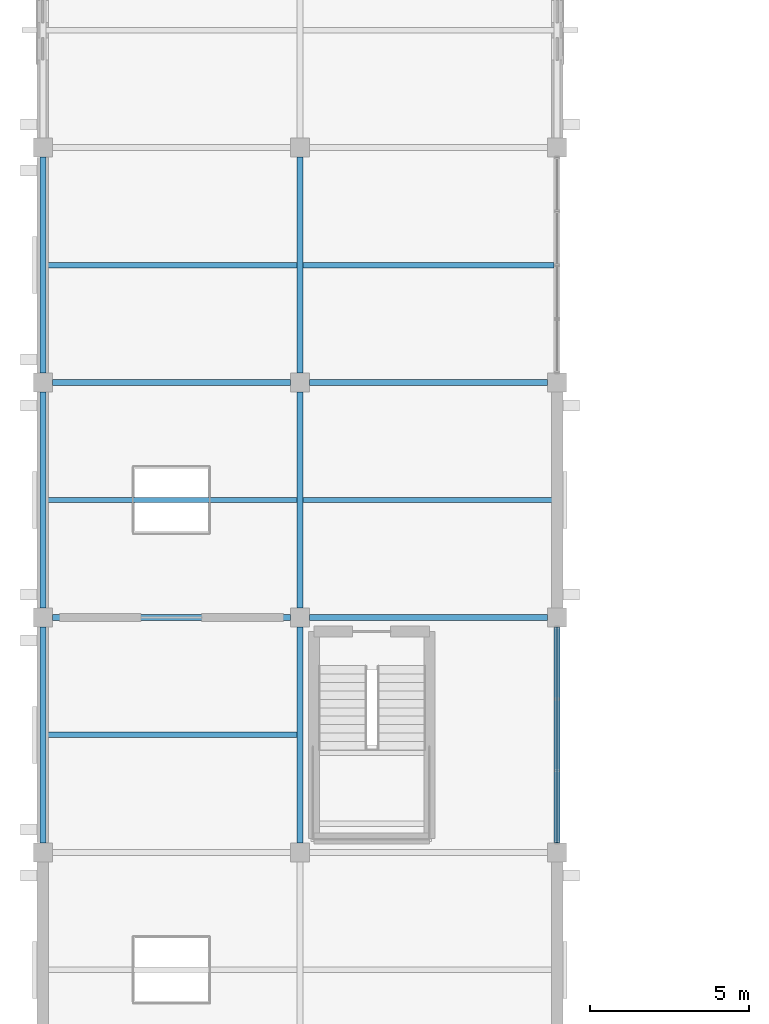
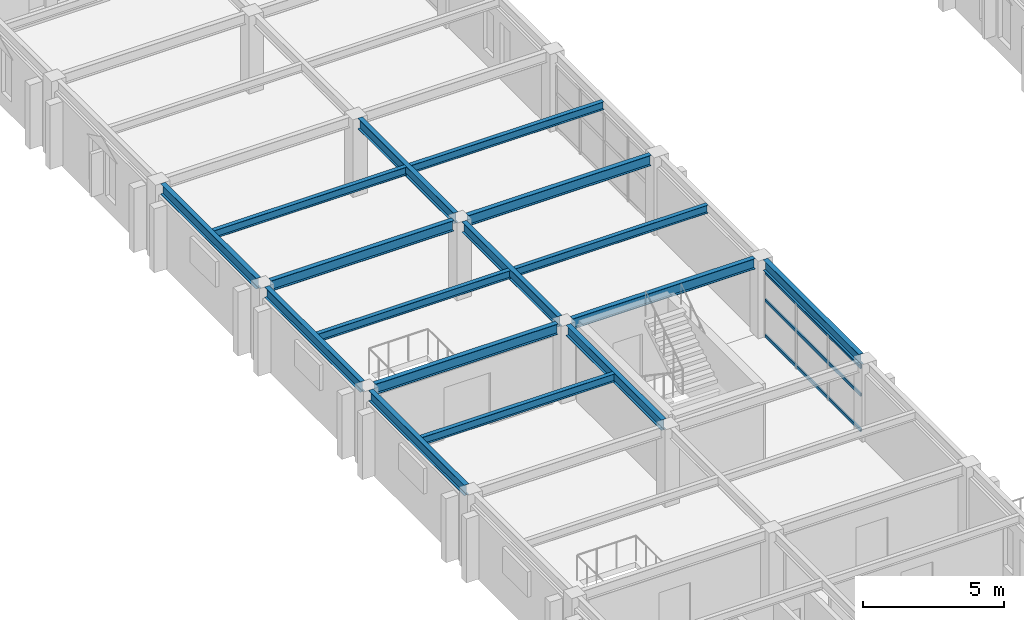
# One storey, part 11 of 121: 16 beams, 3 members, 1 element without a shape of its own.
"""IFC4 building model written with IfcOpenShell, lengths in metres."""

from ifc_helpers import new_model, si_unit, direction, frame, origin, origin_2d, place, context, subcontext, project, spatial, hollow_rectangle, i_section, extrude, material, material_profile, profile_set, type_object, element, aggregate, save


model = new_model("IFC4")

# Units and contexts
model_context = context("Model", 3, precision=1e-05, world=origin(), true_north=direction((0.0, 1.0)))
body_context = subcontext(model_context, "Body", "Model", "MODEL_VIEW")
ifc_project = project(units=[si_unit("LENGTHUNIT", "METRE"), si_unit("AREAUNIT", "SQUARE_METRE"), si_unit("VOLUMEUNIT", "CUBIC_METRE"), si_unit("PLANEANGLEUNIT", "RADIAN"), si_unit("MASSUNIT", "GRAM", prefix="KILO")], contexts=[model_context])

# Site, building, storey
site_placement = place(None, origin())
site = spatial("IfcSite", under=ifc_project, at=site_placement, CompositionType="ELEMENT")
building_placement = place(site_placement, origin())
building = spatial("IfcBuilding", under=site, at=building_placement, Name="Cimatlan Art Gallery", CompositionType="ELEMENT")
storey_placement = place(building_placement, frame((0.0, 0.0, 10.199951171875)))
storey = spatial("IfcBuildingStorey", under=building, at=storey_placement, Name="L02", CompositionType="ELEMENT", Elevation=10.199951171875)

# Beams
ifc_material_1 = material(Name="Steel ASTM A992 Grade 50", Category="steel")
ifc_material_profile_1 = material_profile(ifc_material_1, i_section(OverallWidth=0.1708984375, OverallDepth=0.35107421875, WebThickness=0.0068359375, FlangeThickness=0.009765625, at=origin_2d()), Name="W14X30")
ifc_profile_set_1 = profile_set([ifc_material_profile_1], Name="Steel ASTM A992 Grade 50")
beam_type_1 = type_object("IfcBeamType", Name="BM-STL-W14X30", PredefinedType="JOIST", material=ifc_profile_set_1)
for number, where, z_axis, x_axis, name in (
    (1, (2.095458984375, 49.800048828125, 3.194580078125), (1.0, 0.0, 0.0), (0.0, 1.0, 0.0), "JST-L02-00-06"),
    (2, (2.095458984375, 57.199951171875, 3.194580078125), (1.0, 0.0, 0.0), (0.0, 1.0, 0.0), "JST-L02-00-07"),
    (3, (2.095458984375, 64.60009765625, 3.194580078125), (1.0, 0.0, 0.0), (0.0, 1.0, 0.0), "JST-L02-00-08"),
    (4, (10.195556640625, 57.199951171875, 3.194580078125), (1.0, 0.0, 0.0), (0.0, 1.0, 0.0), "JST-L02-01-07"),
    (5, (10.195556640625, 64.60009765625, 3.194580078125), (1.0, 0.0, 0.0), (0.0, 1.0, 0.0), "JST-L02-01-08"),
):
    element("IfcBeam", number, at=place(storey_placement, frame(where, z_axis=z_axis, x_axis=x_axis)), inside=storey, type_object=beam_type_1, Name=name, PredefinedType="JOIST", context=body_context, shape_type="SweptSolid", body=[
        extrude(i_section(OverallWidth=0.1708984375, OverallDepth=0.35107421875, WebThickness=0.0068359375, FlangeThickness=0.009765625, at=origin_2d()), origin(), (0.0, 0.0, 1.0), 7.908935546875),
    ])
ifc_material_profile_2 = material_profile(ifc_material_1, i_section(OverallWidth=0.19091796875, OverallDepth=0.45703125, WebThickness=0.009033203125, FlangeThickness=0.014404296875, at=origin_2d()), Name="W18X50")
ifc_profile_set_2 = profile_set([ifc_material_profile_2], Name="Steel ASTM A992 Grade 50")
beam_type_2 = type_object("IfcBeamType", Name="BM-STL-W18X50", PredefinedType="BEAM", material=ifc_profile_set_2)
for number, where, z_axis, x_axis, name in (
    (6, (2.0, 46.39990234375, 3.1416015625), (0.0, 1.0, 0.0), (-1.0, 0.0, 0.0), "BM-Y-L02-00-06"),
    (7, (2.0, 53.800048828125, 3.1416015625), (0.0, 1.0, 0.0), (-1.0, 0.0, 0.0), "BM-Y-L02-00-07"),
    (8, (2.0, 61.199951171875, 3.1416015625), (0.0, 1.0, 0.0), (-1.0, 0.0, 0.0), "BM-Y-L02-00-08"),
    (9, (10.10009765625, 46.39990234375, 3.1416015625), (0.0, 1.0, 0.0), (-1.0, 0.0, 0.0), "BM-Y-L02-01-06"),
    (10, (10.10009765625, 53.800048828125, 3.1416015625), (0.0, 1.0, 0.0), (-1.0, 0.0, 0.0), "BM-Y-L02-01-07"),
    (11, (10.10009765625, 61.199951171875, 3.1416015625), (0.0, 1.0, 0.0), (-1.0, 0.0, 0.0), "BM-Y-L02-01-08"),
    (12, (18.199951171875, 46.39990234375, 3.1416015625), (0.0, 1.0, 0.0), (-1.0, 0.0, 0.0), "BM-Y-L02-02-06"),
):
    element("IfcBeam", number, at=place(storey_placement, frame(where, z_axis=z_axis, x_axis=x_axis)), inside=storey, type_object=beam_type_2, Name=name, PredefinedType="BEAM", context=body_context, shape_type="SweptSolid", body=[
        extrude(i_section(OverallWidth=0.19091796875, OverallDepth=0.45703125, WebThickness=0.009033203125, FlangeThickness=0.014404296875, at=origin_2d()), origin(), (0.0, 0.0, 1.0), 6.800048828125),
    ])
for number, where, z_axis, x_axis, name in (
    (13, (2.300048828125, 53.5, 3.1416015625), (1.0, 0.0, 0.0), (0.0, 1.0, 0.0), "BM-X-L02-00-07"),
    (14, (2.300048828125, 60.89990234375, 3.1416015625), (1.0, 0.0, 0.0), (0.0, 1.0, 0.0), "BM-X-L02-00-08"),
    (15, (10.39990234375, 53.5, 3.1416015625), (1.0, 0.0, 0.0), (0.0, 1.0, 0.0), "BM-X-L02-01-07"),
    (16, (10.39990234375, 60.89990234375, 3.1416015625), (1.0, 0.0, 0.0), (0.0, 1.0, 0.0), "BM-X-L02-01-08"),
):
    element("IfcBeam", number, at=place(storey_placement, frame(where, z_axis=z_axis, x_axis=x_axis)), inside=storey, type_object=beam_type_2, Name=name, PredefinedType="BEAM", context=body_context, shape_type="SweptSolid", body=[
        extrude(i_section(OverallWidth=0.19091796875, OverallDepth=0.45703125, WebThickness=0.009033203125, FlangeThickness=0.014404296875, at=origin_2d()), origin(), (0.0, 0.0, 1.0), 7.5),
    ])

# Curtain wall, members
ifc_material_2 = material(Name="Anodised bronze unitised curtain wall")
curtain_wall_type = type_object("IfcCurtainWallType", Name="CW-V-06792X02853-B3", PredefinedType="NOTDEFINED", material=ifc_material_2)
curtain_wall_placement = place(storey_placement, origin())
curtain_wall = element("IfcCurtainWall", 17, at=curtain_wall_placement, inside=storey, type_object=curtain_wall_type, Name="CW-L02-01-06-E", PredefinedType="NOTDEFINED")
ifc_material_3 = material(Name="Anodised bronze aluminium 6063-T6", Category="aluminium")
ifc_material_profile_3 = material_profile(ifc_material_3, hollow_rectangle(XDim=0.06494140625, YDim=0.139892578125, WallThickness=0.00390625, at=origin_2d()), Name="ALU65X140X4")
ifc_profile_set_3 = profile_set([ifc_material_profile_3], Name="Anodised bronze aluminium 6063-T6")
member_type = type_object("IfcMemberType", Name="CW-TRN-140", PredefinedType="USERDEFINED", material=ifc_profile_set_3)
member_1_placement = place(storey_placement, frame((18.199951171875, 53.196044921875, 0.06005859375), z_axis=(0.0, -1.0, 0.0), x_axis=(1.0, 0.0, 0.0)))
member_1 = element("IfcMember", 18, at=member_1_placement, type_object=member_type, Name="CW-L02-01-06-E-T1", ObjectType="TRANSOM", PredefinedType="USERDEFINED", context=body_context, shape_type="SweptSolid", body=[
    extrude(hollow_rectangle(XDim=0.06494140625, YDim=0.139892578125, WallThickness=0.00390625, at=origin_2d()), origin(), (0.0, 0.0, 1.0), 6.7919921875),
])
member_2_placement = place(storey_placement, frame((18.199951171875, 53.196044921875, 1.59765625), z_axis=(0.0, -1.0, 0.0), x_axis=(1.0, 0.0, 0.0)))
member_2 = element("IfcMember", 19, at=member_2_placement, type_object=member_type, Name="CW-L02-01-06-E-T2", ObjectType="TRANSOM", PredefinedType="USERDEFINED", context=body_context, shape_type="SweptSolid", body=[
    extrude(hollow_rectangle(XDim=0.06494140625, YDim=0.139892578125, WallThickness=0.00390625, at=origin_2d()), origin(), (0.0, 0.0, 1.0), 6.7919921875),
])
member_3_placement = place(storey_placement, frame((18.199951171875, 53.196044921875, 2.79296875), z_axis=(0.0, -1.0, 0.0), x_axis=(1.0, 0.0, 0.0)))
member_3 = element("IfcMember", 20, at=member_3_placement, type_object=member_type, Name="CW-L02-01-06-E-T3", ObjectType="TRANSOM", PredefinedType="USERDEFINED", context=body_context, shape_type="SweptSolid", body=[
    extrude(hollow_rectangle(XDim=0.06494140625, YDim=0.139892578125, WallThickness=0.00390625, at=origin_2d()), origin(), (0.0, 0.0, 1.0), 6.7919921875),
])
aggregate(curtain_wall, [member_1, member_2, member_3])

save(model, "model.ifc")
